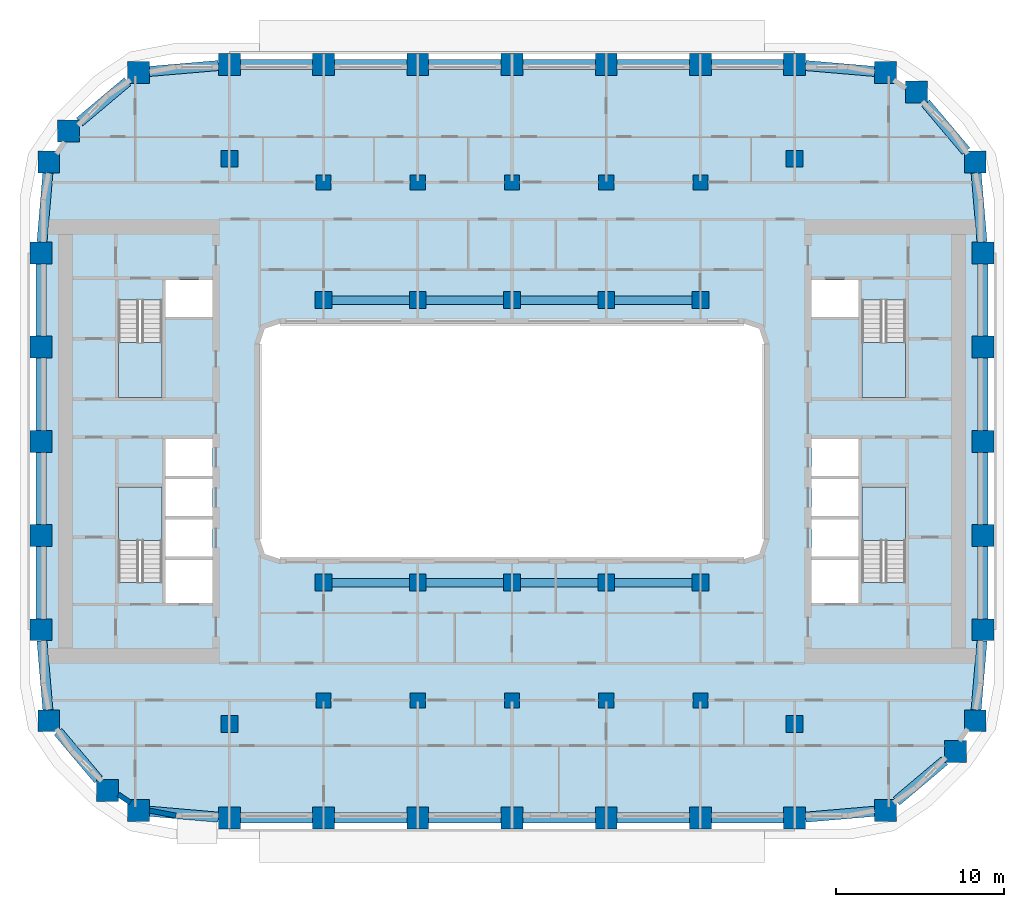
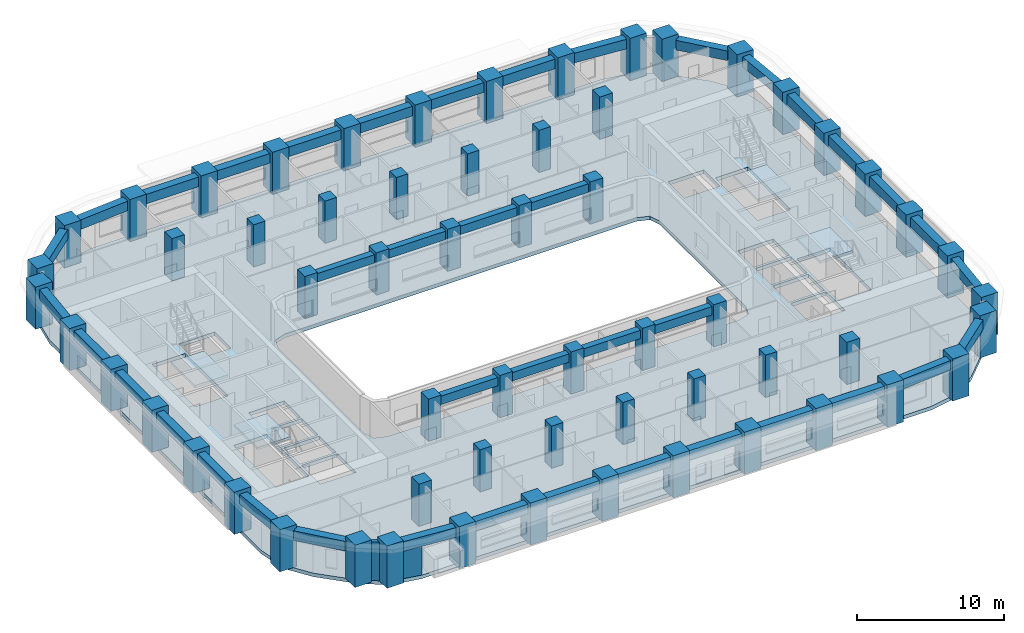
# One storey, part 1 of 21: 60 columns, 40 beams, 5 slabs, 2 walls, 4 elements without a shape of their own.
"""IFC4 building model written with IfcOpenShell, lengths in metres."""

from ifc_helpers import new_model, si_unit, direction, frame, frame_2d, origin, origin_2d, place, context, subcontext, project, spatial, polyline, rectangle, outline, extrude, material, layer, layer_set, material_profile, profile_set, type_object, element, aggregate, save


model = new_model("IFC4")

# Units and contexts
model_context = context("Model", 3, precision=1e-05, world=origin(), true_north=direction((0.0, 1.0)))
body_context = subcontext(model_context, "Body", "Model", "MODEL_VIEW")
ifc_project = project(units=[si_unit("LENGTHUNIT", "METRE"), si_unit("AREAUNIT", "SQUARE_METRE"), si_unit("VOLUMEUNIT", "CUBIC_METRE"), si_unit("PLANEANGLEUNIT", "RADIAN"), si_unit("MASSUNIT", "GRAM", prefix="KILO")], contexts=[model_context])

# Site, building, storey
site_placement = place(None, origin())
site = spatial("IfcSite", under=ifc_project, at=site_placement, CompositionType="ELEMENT")
building_placement = place(site_placement, origin())
building = spatial("IfcBuilding", under=site, at=building_placement, Name="Kiln Ring Residences", CompositionType="ELEMENT")
storey_placement = place(building_placement, frame((0.0, 0.0, 93.800048828125)))
storey = spatial("IfcBuildingStorey", under=building, at=storey_placement, Name="L23", CompositionType="ELEMENT", Elevation=93.800048828125)

# Columns
ifc_material_1 = material(Name="Concrete C80/95", Category="concrete")
ifc_material_profile_1 = material_profile(ifc_material_1, rectangle(XDim=0.89990234375, YDim=0.89990234375, at=origin_2d()), Name="RC900x900")
ifc_profile_set_1 = profile_set([ifc_material_profile_1], Name="Concrete C80/95")
column_type_1 = type_object("IfcColumnType", Name="Corridor column RC900x900 C80/95", PredefinedType="COLUMN", material=ifc_profile_set_1)
for number, where, z_axis, x_axis, name in (
    (1, (-11.199951171875, 15.39990234375, 0.0), (0.0, 0.0, 1.0), (1.0, 0.0, 0.0), "Corridor column L23 1"),
    (2, (-5.60009765625, 15.39990234375, 0.0), (0.0, 0.0, 1.0), (1.0, 0.0, 0.0), "Corridor column L23 2"),
    (3, (0.0, 15.39990234375, 0.0), (0.0, 0.0, 1.0), (1.0, 0.0, 0.0), "Corridor column L23 3"),
    (4, (5.60009765625, 15.39990234375, 0.0), (0.0, 0.0, 1.0), (1.0, 0.0, 0.0), "Corridor column L23 4"),
    (5, (11.199951171875, 15.39990234375, 0.0), (0.0, 0.0, 1.0), (1.0, 0.0, 0.0), "Corridor column L23 5"),
    (6, (-11.199951171875, -15.39990234375, 0.0), (0.0, 0.0, 1.0), (1.0, 0.0, 0.0), "Corridor column L23 6"),
    (7, (-5.60009765625, -15.39990234375, 0.0), (0.0, 0.0, 1.0), (1.0, 0.0, 0.0), "Corridor column L23 7"),
    (8, (0.0, -15.39990234375, 0.0), (0.0, 0.0, 1.0), (1.0, 0.0, 0.0), "Corridor column L23 8"),
    (9, (5.60009765625, -15.39990234375, 0.0), (0.0, 0.0, 1.0), (1.0, 0.0, 0.0), "Corridor column L23 9"),
    (10, (11.199951171875, -15.39990234375, 0.0), (0.0, 0.0, 1.0), (1.0, 0.0, 0.0), "Corridor column L23 10"),
):
    element("IfcColumn", number, at=place(storey_placement, frame(where, z_axis=z_axis, x_axis=x_axis)), inside=storey, type_object=column_type_1, Name=name, PredefinedType="COLUMN", context=body_context, shape_type="SweptSolid", body=[
        extrude(rectangle(XDim=0.89990234375, YDim=0.89990234375, at=origin_2d()), origin(), (0.0, 0.0, 1.0), 3.5),
    ])
ifc_material_2 = material(Name="Concrete C80/95", Category="concrete")
ifc_material_profile_2 = material_profile(ifc_material_2, rectangle(XDim=1.300048828125, YDim=1.300048828125, at=origin_2d()), Name="RC1300x1300")
ifc_profile_set_2 = profile_set([ifc_material_profile_2], Name="Concrete C80/95")
column_type_2 = type_object("IfcColumnType", Name="Perimeter column RC1300x1300 C80/95", PredefinedType="COLUMN", material=ifc_profile_set_2)
for number, where, z_axis, x_axis, name in (
    (11, (-22.208740234375, -21.93798828125, 0.0), (0.0, 0.0, 1.0), (1.0, 0.0, 0.0), "Perimeter column L23 1"),
    (12, (-16.800048828125, -22.39990234375, 0.0), (0.0, 0.0, 1.0), (1.0, 0.0, 0.0), "Perimeter column L23 2"),
    (13, (-11.199951171875, -22.39990234375, 0.0), (0.0, 0.0, 1.0), (1.0, 0.0, 0.0), "Perimeter column L23 3"),
    (14, (-5.60009765625, -22.39990234375, 0.0), (0.0, 0.0, 1.0), (1.0, 0.0, 0.0), "Perimeter column L23 4"),
    (15, (0.0, -22.39990234375, 0.0), (0.0, 0.0, 1.0), (1.0, 0.0, 0.0), "Perimeter column L23 5"),
    (16, (5.60009765625, -22.39990234375, 0.0), (0.0, 0.0, 1.0), (1.0, 0.0, 0.0), "Perimeter column L23 6"),
    (17, (11.199951171875, -22.39990234375, 0.0), (0.0, 0.0, 1.0), (1.0, 0.0, 0.0), "Perimeter column L23 7"),
    (18, (16.800048828125, -22.39990234375, 0.0), (0.0, 0.0, 1.0), (1.0, 0.0, 0.0), "Perimeter column L23 8"),
    (19, (22.208740234375, -21.93798828125, 0.0), (0.0, 0.0, 1.0), (1.0, 0.0, 0.0), "Perimeter column L23 9"),
    (20, (26.35986328125, -18.440185546875, 0.0), (0.0, 0.0, 1.0), (1.0, 0.0, 0.0), "Perimeter column L23 10"),
    (21, (27.5380859375, -16.608642578125, 0.0), (0.0, 0.0, 1.0), (1.0, 0.0, 0.0), "Perimeter column L23 11"),
    (22, (28.0, -11.199951171875, 0.0), (0.0, 0.0, 1.0), (1.0, 0.0, 0.0), "Perimeter column L23 12"),
    (23, (28.0, -5.60009765625, 0.0), (0.0, 0.0, 1.0), (1.0, 0.0, 0.0), "Perimeter column L23 13"),
    (24, (28.0, 0.0, 0.0), (0.0, 0.0, 1.0), (1.0, 0.0, 0.0), "Perimeter column L23 14"),
    (25, (28.0, 5.60009765625, 0.0), (0.0, 0.0, 1.0), (1.0, 0.0, 0.0), "Perimeter column L23 15"),
    (26, (28.0, 11.199951171875, 0.0), (0.0, 0.0, 1.0), (1.0, 0.0, 0.0), "Perimeter column L23 16"),
    (27, (27.5380859375, 16.608642578125, 0.0), (0.0, 0.0, 1.0), (1.0, 0.0, 0.0), "Perimeter column L23 17"),
    (28, (24.040283203125, 20.759765625, 0.0), (0.0, 0.0, 1.0), (1.0, 0.0, 0.0), "Perimeter column L23 18"),
    (29, (22.208740234375, 21.93798828125, 0.0), (0.0, 0.0, 1.0), (1.0, 0.0, 0.0), "Perimeter column L23 19"),
    (30, (16.800048828125, 22.39990234375, 0.0), (0.0, 0.0, 1.0), (1.0, 0.0, 0.0), "Perimeter column L23 20"),
    (31, (11.199951171875, 22.39990234375, 0.0), (0.0, 0.0, 1.0), (1.0, 0.0, 0.0), "Perimeter column L23 21"),
    (32, (5.60009765625, 22.39990234375, 0.0), (0.0, 0.0, 1.0), (1.0, 0.0, 0.0), "Perimeter column L23 22"),
    (33, (0.0, 22.39990234375, 0.0), (0.0, 0.0, 1.0), (1.0, 0.0, 0.0), "Perimeter column L23 23"),
    (34, (-5.60009765625, 22.39990234375, 0.0), (0.0, 0.0, 1.0), (1.0, 0.0, 0.0), "Perimeter column L23 24"),
    (35, (-11.199951171875, 22.39990234375, 0.0), (0.0, 0.0, 1.0), (1.0, 0.0, 0.0), "Perimeter column L23 25"),
    (36, (-16.800048828125, 22.39990234375, 0.0), (0.0, 0.0, 1.0), (1.0, 0.0, 0.0), "Perimeter column L23 26"),
    (37, (-22.208740234375, 21.93798828125, 0.0), (0.0, 0.0, 1.0), (1.0, 0.0, 0.0), "Perimeter column L23 27"),
    (38, (-26.35986328125, 18.440185546875, 0.0), (0.0, 0.0, 1.0), (1.0, 0.0, 0.0), "Perimeter column L23 28"),
    (39, (-27.5380859375, 16.608642578125, 0.0), (0.0, 0.0, 1.0), (1.0, 0.0, 0.0), "Perimeter column L23 29"),
    (40, (-28.0, 11.199951171875, 0.0), (0.0, 0.0, 1.0), (1.0, 0.0, 0.0), "Perimeter column L23 30"),
    (41, (-28.0, 5.60009765625, 0.0), (0.0, 0.0, 1.0), (1.0, 0.0, 0.0), "Perimeter column L23 31"),
    (42, (-28.0, 0.0, 0.0), (0.0, 0.0, 1.0), (1.0, 0.0, 0.0), "Perimeter column L23 32"),
    (43, (-28.0, -5.60009765625, 0.0), (0.0, 0.0, 1.0), (1.0, 0.0, 0.0), "Perimeter column L23 33"),
    (44, (-28.0, -11.199951171875, 0.0), (0.0, 0.0, 1.0), (1.0, 0.0, 0.0), "Perimeter column L23 34"),
    (45, (-27.5380859375, -16.608642578125, 0.0), (0.0, 0.0, 1.0), (1.0, 0.0, 0.0), "Perimeter column L23 35"),
    (46, (-24.040283203125, -20.759765625, 0.0), (0.0, 0.0, 1.0), (1.0, 0.0, 0.0), "Perimeter column L23 36"),
):
    element("IfcColumn", number, at=place(storey_placement, frame(where, z_axis=z_axis, x_axis=x_axis)), inside=storey, type_object=column_type_2, Name=name, PredefinedType="COLUMN", context=body_context, shape_type="SweptSolid", body=[
        extrude(rectangle(XDim=1.300048828125, YDim=1.300048828125, at=origin_2d()), origin(), (0.0, 0.0, 1.0), 3.5),
    ])
ifc_material_3 = material(Name="Concrete C80/95", Category="concrete")
ifc_material_profile_3 = material_profile(ifc_material_3, rectangle(XDim=1.0, YDim=1.0, at=origin_2d()), Name="RC1000x1000")
ifc_profile_set_3 = profile_set([ifc_material_profile_3], Name="Concrete C80/95")
column_type_3 = type_object("IfcColumnType", Name="Ring column RC1000x1000 C80/95", PredefinedType="COLUMN", material=ifc_profile_set_3)
for number, where, z_axis, x_axis, name in (
    (47, (-16.800048828125, -16.800048828125, 0.0), (0.0, 0.0, 1.0), (1.0, 0.0, 0.0), "Ring column L23 1"),
    (48, (-16.800048828125, 16.800048828125, 0.0), (0.0, 0.0, 1.0), (1.0, 0.0, 0.0), "Ring column L23 2"),
    (49, (-11.199951171875, -8.39990234375, 0.0), (0.0, 0.0, 1.0), (1.0, 0.0, 0.0), "Ring column L23 3"),
    (50, (-11.199951171875, 8.39990234375, 0.0), (0.0, 0.0, 1.0), (1.0, 0.0, 0.0), "Ring column L23 4"),
    (51, (-5.60009765625, -8.39990234375, 0.0), (0.0, 0.0, 1.0), (1.0, 0.0, 0.0), "Ring column L23 5"),
    (52, (-5.60009765625, 8.39990234375, 0.0), (0.0, 0.0, 1.0), (1.0, 0.0, 0.0), "Ring column L23 6"),
    (53, (0.0, -8.39990234375, 0.0), (0.0, 0.0, 1.0), (1.0, 0.0, 0.0), "Ring column L23 7"),
    (54, (0.0, 8.39990234375, 0.0), (0.0, 0.0, 1.0), (1.0, 0.0, 0.0), "Ring column L23 8"),
    (55, (5.60009765625, -8.39990234375, 0.0), (0.0, 0.0, 1.0), (1.0, 0.0, 0.0), "Ring column L23 9"),
    (56, (5.60009765625, 8.39990234375, 0.0), (0.0, 0.0, 1.0), (1.0, 0.0, 0.0), "Ring column L23 10"),
    (57, (11.199951171875, -8.39990234375, 0.0), (0.0, 0.0, 1.0), (1.0, 0.0, 0.0), "Ring column L23 11"),
    (58, (11.199951171875, 8.39990234375, 0.0), (0.0, 0.0, 1.0), (1.0, 0.0, 0.0), "Ring column L23 12"),
    (59, (16.800048828125, -16.800048828125, 0.0), (0.0, 0.0, 1.0), (1.0, 0.0, 0.0), "Ring column L23 13"),
    (60, (16.800048828125, 16.800048828125, 0.0), (0.0, 0.0, 1.0), (1.0, 0.0, 0.0), "Ring column L23 14"),
):
    element("IfcColumn", number, at=place(storey_placement, frame(where, z_axis=z_axis, x_axis=x_axis)), inside=storey, type_object=column_type_3, Name=name, PredefinedType="COLUMN", context=body_context, shape_type="SweptSolid", body=[
        extrude(rectangle(XDim=1.0, YDim=1.0, at=origin_2d()), origin(), (0.0, 0.0, 1.0), 3.5),
    ])

# Beams
ifc_material_4 = material(Name="Concrete C50/60", Category="concrete")
ifc_material_profile_4 = material_profile(ifc_material_4, rectangle(XDim=0.5, YDim=0.699951171875, at=origin_2d()), Name="RC500x700")
ifc_profile_set_4 = profile_set([ifc_material_profile_4], Name="Concrete C50/60")
beam_type_1 = type_object("IfcBeamType", Name="Ring beam RC500x700 C50/60", PredefinedType="BEAM", material=ifc_profile_set_4)
beam_1_placement = place(storey_placement, frame((-10.699951171875, -8.39990234375, 2.849853515625), z_axis=(1.0, 0.0, 0.0), x_axis=(0.0, 1.0, 0.0)))
element("IfcBeam", 61, at=beam_1_placement, inside=storey, type_object=beam_type_1, Name="Ring beam L23 1", PredefinedType="BEAM", context=body_context, shape_type="SweptSolid", body=[
    extrude(rectangle(XDim=0.5, YDim=0.699951171875, at=origin_2d()), origin(), (0.0, 0.0, 1.0), 4.599853515625),
])
for number, where, z_axis, x_axis, name in (
    (62, (-5.10009765625, -8.39990234375, 2.849853515625), (1.0, 0.0, 0.0), (0.0, 1.0, 0.0), "Ring beam L23 2"),
    (63, (0.5, -8.39990234375, 2.849853515625), (1.0, 0.0, 0.0), (0.0, 1.0, 0.0), "Ring beam L23 3"),
):
    element("IfcBeam", number, at=place(storey_placement, frame(where, z_axis=z_axis, x_axis=x_axis)), inside=storey, type_object=beam_type_1, Name=name, PredefinedType="BEAM", context=body_context, shape_type="SweptSolid", body=[
        extrude(rectangle(XDim=0.5, YDim=0.699951171875, at=origin_2d()), origin(), (0.0, 0.0, 1.0), 4.60009765625),
    ])
for number, where, z_axis, x_axis, name in (
    (64, (6.10009765625, -8.39990234375, 2.849853515625), (1.0, 0.0, 0.0), (0.0, 1.0, 0.0), "Ring beam L23 4"),
    (65, (-10.699951171875, 8.39990234375, 2.849853515625), (1.0, 0.0, 0.0), (0.0, 1.0, 0.0), "Ring beam L23 5"),
):
    element("IfcBeam", number, at=place(storey_placement, frame(where, z_axis=z_axis, x_axis=x_axis)), inside=storey, type_object=beam_type_1, Name=name, PredefinedType="BEAM", context=body_context, shape_type="SweptSolid", body=[
        extrude(rectangle(XDim=0.5, YDim=0.699951171875, at=origin_2d()), origin(), (0.0, 0.0, 1.0), 4.599853515625),
    ])
for number, where, z_axis, x_axis, name in (
    (66, (-5.10009765625, 8.39990234375, 2.849853515625), (1.0, 0.0, 0.0), (0.0, 1.0, 0.0), "Ring beam L23 6"),
    (67, (0.5, 8.39990234375, 2.849853515625), (1.0, 0.0, 0.0), (0.0, 1.0, 0.0), "Ring beam L23 7"),
):
    element("IfcBeam", number, at=place(storey_placement, frame(where, z_axis=z_axis, x_axis=x_axis)), inside=storey, type_object=beam_type_1, Name=name, PredefinedType="BEAM", context=body_context, shape_type="SweptSolid", body=[
        extrude(rectangle(XDim=0.5, YDim=0.699951171875, at=origin_2d()), origin(), (0.0, 0.0, 1.0), 4.60009765625),
    ])
beam_2_placement = place(storey_placement, frame((6.10009765625, 8.39990234375, 2.849853515625), z_axis=(1.0, 0.0, 0.0), x_axis=(0.0, 1.0, 0.0)))
element("IfcBeam", 68, at=beam_2_placement, inside=storey, type_object=beam_type_1, Name="Ring beam L23 8", PredefinedType="BEAM", context=body_context, shape_type="SweptSolid", body=[
    extrude(rectangle(XDim=0.5, YDim=0.699951171875, at=origin_2d()), origin(), (0.0, 0.0, 1.0), 4.599853515625),
])
ifc_material_5 = material(Name="Concrete C50/60", Category="concrete")
ifc_material_profile_5 = material_profile(ifc_material_5, rectangle(XDim=0.60009765625, YDim=0.800048828125, at=origin_2d()), Name="RC600x800")
ifc_profile_set_5 = profile_set([ifc_material_profile_5], Name="Concrete C50/60")
beam_type_2 = type_object("IfcBeamType", Name="Spandrel beam RC600x800 C50/60", PredefinedType="SPANDREL", material=ifc_profile_set_5)
beam_3_placement = place(storey_placement, frame((-21.55859375, -21.99365234375, 2.800048828125), z_axis=(0.99637423264, -0.085078719609, 0.0), x_axis=(0.085078719609, 0.99637423264, 0.0)))
element("IfcBeam", 69, at=beam_3_placement, inside=storey, type_object=beam_type_2, Name="Spandrel beam L23 1", PredefinedType="SPANDREL", context=body_context, shape_type="SweptSolid", body=[
    extrude(rectangle(XDim=0.60009765625, YDim=0.800048828125, at=origin_2d()), origin(), (0.0, 0.0, 1.0), 4.12353515625),
])
beam_4_placement = place(storey_placement, frame((-16.14990234375, -22.39990234375, 2.800048828125), z_axis=(1.0, 0.0, 0.0), x_axis=(0.0, 1.0, 0.0)))
element("IfcBeam", 70, at=beam_4_placement, inside=storey, type_object=beam_type_2, Name="Spandrel beam L23 2", PredefinedType="SPANDREL", context=body_context, shape_type="SweptSolid", body=[
    extrude(rectangle(XDim=0.60009765625, YDim=0.800048828125, at=origin_2d()), origin(), (0.0, 0.0, 1.0), 4.2998046875),
])
for number, where, z_axis, x_axis, name in (
    (71, (-10.550048828125, -22.39990234375, 2.800048828125), (1.0, 0.0, 0.0), (0.0, 1.0, 0.0), "Spandrel beam L23 3"),
    (72, (-4.949951171875, -22.39990234375, 2.800048828125), (1.0, 0.0, 0.0), (0.0, 1.0, 0.0), "Spandrel beam L23 4"),
    (73, (0.64990234375, -22.39990234375, 2.800048828125), (1.0, 0.0, 0.0), (0.0, 1.0, 0.0), "Spandrel beam L23 5"),
    (74, (6.25, -22.39990234375, 2.800048828125), (1.0, 0.0, 0.0), (0.0, 1.0, 0.0), "Spandrel beam L23 6"),
):
    element("IfcBeam", number, at=place(storey_placement, frame(where, z_axis=z_axis, x_axis=x_axis)), inside=storey, type_object=beam_type_2, Name=name, PredefinedType="SPANDREL", context=body_context, shape_type="SweptSolid", body=[
        extrude(rectangle(XDim=0.60009765625, YDim=0.800048828125, at=origin_2d()), origin(), (0.0, 0.0, 1.0), 4.300048828125),
    ])
beam_5_placement = place(storey_placement, frame((11.85009765625, -22.39990234375, 2.800048828125), z_axis=(1.0, 0.0, 0.0), x_axis=(0.0, 1.0, 0.0)))
element("IfcBeam", 75, at=beam_5_placement, inside=storey, type_object=beam_type_2, Name="Spandrel beam L23 7", PredefinedType="SPANDREL", context=body_context, shape_type="SweptSolid", body=[
    extrude(rectangle(XDim=0.60009765625, YDim=0.800048828125, at=origin_2d()), origin(), (0.0, 0.0, 1.0), 4.2998046875),
])
beam_6_placement = place(storey_placement, frame((17.449951171875, -22.344482421875, 2.800048828125), z_axis=(0.99637423264, 0.085078719609, 0.0), x_axis=(-0.085078719609, 0.99637423264, 0.0)))
element("IfcBeam", 76, at=beam_6_placement, inside=storey, type_object=beam_type_2, Name="Spandrel beam L23 8", PredefinedType="SPANDREL", context=body_context, shape_type="SweptSolid", body=[
    extrude(rectangle(XDim=0.60009765625, YDim=0.800048828125, at=origin_2d()), origin(), (0.0, 0.0, 1.0), 4.12353515625),
])
beam_7_placement = place(storey_placement, frame((22.858642578125, -21.390380859375, 2.800048828125), z_axis=(0.764720974908, 0.644361568171, 0.0), x_axis=(-0.644361568171, 0.764720974908, 0.0)))
element("IfcBeam", 77, at=beam_7_placement, inside=storey, type_object=beam_type_2, Name="Spandrel beam L23 9", PredefinedType="SPANDREL", context=body_context, shape_type="SweptSolid", body=[
    extrude(rectangle(XDim=0.60009765625, YDim=0.800048828125, at=origin_2d()), origin(), (0.0, 0.0, 1.0), 3.728271484375),
])
beam_8_placement = place(storey_placement, frame((27.593505859375, -15.958740234375, 2.800048828125), z_axis=(0.0851374964, 0.996369212043, 0.0), x_axis=(-0.996369212043, 0.0851374964, 0.0)))
element("IfcBeam", 78, at=beam_8_placement, inside=storey, type_object=beam_type_2, Name="Spandrel beam L23 10", PredefinedType="SPANDREL", context=body_context, shape_type="SweptSolid", body=[
    extrude(rectangle(XDim=0.60009765625, YDim=0.800048828125, at=origin_2d()), origin(), (0.0, 0.0, 1.0), 4.12353515625),
])
for number, where, z_axis, x_axis, name in (
    (79, (28.0, -10.550048828125, 2.800048828125), (0.0, 1.0, 0.0), (-1.0, 0.0, 0.0), "Spandrel beam L23 11"),
    (80, (28.0, -4.949951171875, 2.800048828125), (0.0, 1.0, 0.0), (-1.0, 0.0, 0.0), "Spandrel beam L23 12"),
    (81, (28.0, 0.64990234375, 2.800048828125), (0.0, 1.0, 0.0), (-1.0, 0.0, 0.0), "Spandrel beam L23 13"),
    (82, (28.0, 6.25, 2.800048828125), (0.0, 1.0, 0.0), (-1.0, 0.0, 0.0), "Spandrel beam L23 14"),
):
    element("IfcBeam", number, at=place(storey_placement, frame(where, z_axis=z_axis, x_axis=x_axis)), inside=storey, type_object=beam_type_2, Name=name, PredefinedType="SPANDREL", context=body_context, shape_type="SweptSolid", body=[
        extrude(rectangle(XDim=0.60009765625, YDim=0.800048828125, at=origin_2d()), origin(), (0.0, 0.0, 1.0), 4.300048828125),
    ])
beam_9_placement = place(storey_placement, frame((27.944580078125, 11.85009765625, 2.800048828125), z_axis=(-0.0851374964, 0.996369212043, 0.0), x_axis=(-0.996369212043, -0.0851374964, 0.0)))
element("IfcBeam", 83, at=beam_9_placement, inside=storey, type_object=beam_type_2, Name="Spandrel beam L23 15", PredefinedType="SPANDREL", context=body_context, shape_type="SweptSolid", body=[
    extrude(rectangle(XDim=0.60009765625, YDim=0.800048828125, at=origin_2d()), origin(), (0.0, 0.0, 1.0), 4.12353515625),
])
beam_10_placement = place(storey_placement, frame((26.990478515625, 17.2587890625, 2.800048828125), z_axis=(-0.644399860611, 0.764688707674, 0.0), x_axis=(-0.764688707674, -0.644399860611, 0.0)))
element("IfcBeam", 84, at=beam_10_placement, inside=storey, type_object=beam_type_2, Name="Spandrel beam L23 16", PredefinedType="SPANDREL", context=body_context, shape_type="SweptSolid", body=[
    extrude(rectangle(XDim=0.60009765625, YDim=0.800048828125, at=origin_2d()), origin(), (0.0, 0.0, 1.0), 3.728515625),
])
beam_11_placement = place(storey_placement, frame((21.55859375, 21.99365234375, 2.800048828125), z_axis=(-0.99637423264, 0.085078719609, 0.0), x_axis=(-0.085078719609, -0.99637423264, 0.0)))
element("IfcBeam", 85, at=beam_11_placement, inside=storey, type_object=beam_type_2, Name="Spandrel beam L23 17", PredefinedType="SPANDREL", context=body_context, shape_type="SweptSolid", body=[
    extrude(rectangle(XDim=0.60009765625, YDim=0.800048828125, at=origin_2d()), origin(), (0.0, 0.0, 1.0), 4.12353515625),
])
beam_12_placement = place(storey_placement, frame((16.14990234375, 22.39990234375, 2.800048828125), z_axis=(-1.0, 0.0, 0.0), x_axis=(0.0, -1.0, 0.0)))
element("IfcBeam", 86, at=beam_12_placement, inside=storey, type_object=beam_type_2, Name="Spandrel beam L23 18", PredefinedType="SPANDREL", context=body_context, shape_type="SweptSolid", body=[
    extrude(rectangle(XDim=0.60009765625, YDim=0.800048828125, at=origin_2d()), origin(), (0.0, 0.0, 1.0), 4.2998046875),
])
for number, where, z_axis, x_axis, name in (
    (87, (10.550048828125, 22.39990234375, 2.800048828125), (-1.0, 0.0, 0.0), (0.0, -1.0, 0.0), "Spandrel beam L23 19"),
    (88, (4.949951171875, 22.39990234375, 2.800048828125), (-1.0, 0.0, 0.0), (0.0, -1.0, 0.0), "Spandrel beam L23 20"),
    (89, (-0.64990234375, 22.39990234375, 2.800048828125), (-1.0, 0.0, 0.0), (0.0, -1.0, 0.0), "Spandrel beam L23 21"),
    (90, (-6.25, 22.39990234375, 2.800048828125), (-1.0, 0.0, 0.0), (0.0, -1.0, 0.0), "Spandrel beam L23 22"),
):
    element("IfcBeam", number, at=place(storey_placement, frame(where, z_axis=z_axis, x_axis=x_axis)), inside=storey, type_object=beam_type_2, Name=name, PredefinedType="SPANDREL", context=body_context, shape_type="SweptSolid", body=[
        extrude(rectangle(XDim=0.60009765625, YDim=0.800048828125, at=origin_2d()), origin(), (0.0, 0.0, 1.0), 4.300048828125),
    ])
beam_13_placement = place(storey_placement, frame((-11.85009765625, 22.39990234375, 2.800048828125), z_axis=(-1.0, 0.0, 0.0), x_axis=(0.0, -1.0, 0.0)))
element("IfcBeam", 91, at=beam_13_placement, inside=storey, type_object=beam_type_2, Name="Spandrel beam L23 23", PredefinedType="SPANDREL", context=body_context, shape_type="SweptSolid", body=[
    extrude(rectangle(XDim=0.60009765625, YDim=0.800048828125, at=origin_2d()), origin(), (0.0, 0.0, 1.0), 4.2998046875),
])
beam_14_placement = place(storey_placement, frame((-17.449951171875, 22.344482421875, 2.800048828125), z_axis=(-0.99637423264, -0.085078719609, 0.0), x_axis=(0.085078719609, -0.99637423264, 0.0)))
element("IfcBeam", 92, at=beam_14_placement, inside=storey, type_object=beam_type_2, Name="Spandrel beam L23 24", PredefinedType="SPANDREL", context=body_context, shape_type="SweptSolid", body=[
    extrude(rectangle(XDim=0.60009765625, YDim=0.800048828125, at=origin_2d()), origin(), (0.0, 0.0, 1.0), 4.12353515625),
])
beam_15_placement = place(storey_placement, frame((-22.858642578125, 21.390380859375, 2.800048828125), z_axis=(-0.764720974908, -0.644361568171, 0.0), x_axis=(0.644361568171, -0.764720974908, 0.0)))
element("IfcBeam", 93, at=beam_15_placement, inside=storey, type_object=beam_type_2, Name="Spandrel beam L23 25", PredefinedType="SPANDREL", context=body_context, shape_type="SweptSolid", body=[
    extrude(rectangle(XDim=0.60009765625, YDim=0.800048828125, at=origin_2d()), origin(), (0.0, 0.0, 1.0), 3.728271484375),
])
beam_16_placement = place(storey_placement, frame((-27.593505859375, 15.958740234375, 2.800048828125), z_axis=(-0.0851374964, -0.996369212043, 0.0), x_axis=(0.996369212043, -0.0851374964, 0.0)))
element("IfcBeam", 94, at=beam_16_placement, inside=storey, type_object=beam_type_2, Name="Spandrel beam L23 26", PredefinedType="SPANDREL", context=body_context, shape_type="SweptSolid", body=[
    extrude(rectangle(XDim=0.60009765625, YDim=0.800048828125, at=origin_2d()), origin(), (0.0, 0.0, 1.0), 4.12353515625),
])
for number, where, z_axis, x_axis, name in (
    (95, (-28.0, 10.550048828125, 2.800048828125), (0.0, -1.0, 0.0), (1.0, 0.0, 0.0), "Spandrel beam L23 27"),
    (96, (-28.0, 4.949951171875, 2.800048828125), (0.0, -1.0, 0.0), (1.0, 0.0, 0.0), "Spandrel beam L23 28"),
    (97, (-28.0, -0.64990234375, 2.800048828125), (0.0, -1.0, 0.0), (1.0, 0.0, 0.0), "Spandrel beam L23 29"),
    (98, (-28.0, -6.25, 2.800048828125), (0.0, -1.0, 0.0), (1.0, 0.0, 0.0), "Spandrel beam L23 30"),
):
    element("IfcBeam", number, at=place(storey_placement, frame(where, z_axis=z_axis, x_axis=x_axis)), inside=storey, type_object=beam_type_2, Name=name, PredefinedType="SPANDREL", context=body_context, shape_type="SweptSolid", body=[
        extrude(rectangle(XDim=0.60009765625, YDim=0.800048828125, at=origin_2d()), origin(), (0.0, 0.0, 1.0), 4.300048828125),
    ])
beam_17_placement = place(storey_placement, frame((-27.944580078125, -11.85009765625, 2.800048828125), z_axis=(0.0851374964, -0.996369212043, 0.0), x_axis=(0.996369212043, 0.0851374964, 0.0)))
element("IfcBeam", 99, at=beam_17_placement, inside=storey, type_object=beam_type_2, Name="Spandrel beam L23 31", PredefinedType="SPANDREL", context=body_context, shape_type="SweptSolid", body=[
    extrude(rectangle(XDim=0.60009765625, YDim=0.800048828125, at=origin_2d()), origin(), (0.0, 0.0, 1.0), 4.12353515625),
])
beam_18_placement = place(storey_placement, frame((-26.990478515625, -17.2587890625, 2.800048828125), z_axis=(0.644399860611, -0.764688707674, 0.0), x_axis=(0.764688707674, 0.644399860611, 0.0)))
element("IfcBeam", 100, at=beam_18_placement, inside=storey, type_object=beam_type_2, Name="Spandrel beam L23 32", PredefinedType="SPANDREL", context=body_context, shape_type="SweptSolid", body=[
    extrude(rectangle(XDim=0.60009765625, YDim=0.800048828125, at=origin_2d()), origin(), (0.0, 0.0, 1.0), 3.728515625),
])

# Stair, slab
ifc_material_6 = material(Name="Concrete C40/50", Category="concrete")
stair_type = type_object("IfcStairType", Name="CORE-STAIR", PredefinedType="HALF_TURN_STAIR", material=ifc_material_6)
placement_1 = place(storey_placement, origin())
stair_1 = element("IfcStair", 101, at=placement_1, inside=storey, type_object=stair_type, Name="L23 stair W-STN", PredefinedType="HALF_TURN_STAIR")
ifc_material_7 = material(Name="Concrete C40/50", Category="concrete")
ifc_layer_1 = layer(ifc_material_7, 0.199951171875)
ifc_layer_set_1 = layer_set([ifc_layer_1], Name="CORE-STAIR-LANDING")
slab_type_1 = type_object("IfcSlabType", Name="CORE-STAIR-LANDING", PredefinedType="LANDING", material=ifc_layer_set_1)
placement_2 = place(storey_placement, frame((0.0, 0.0, 1.550048828125)))
slab_1 = element("IfcSlab", 102, at=placement_2, type_object=slab_type_1, Name="W-STN landing 1", PredefinedType="LANDING", context=body_context, shape_type="SweptSolid", body=[
    extrude(outline(polyline([(-23.39990234375, 5.8798828125), (-23.39990234375, 2.60009765625), (-20.800048828125, 2.60009765625), (-20.800048828125, 5.8798828125), (-23.39990234375, 5.8798828125)])), origin(), (0.0, 0.0, 1.0), 0.199951171875),
])
aggregate(stair_1, [slab_1])

stair_2 = element("IfcStair", 103, at=placement_1, inside=storey, type_object=stair_type, Name="L23 stair W-STS", PredefinedType="HALF_TURN_STAIR")
slab_2 = element("IfcSlab", 104, at=placement_2, type_object=slab_type_1, Name="W-STS landing 1", PredefinedType="LANDING", context=body_context, shape_type="SweptSolid", body=[
    extrude(outline(polyline([(-20.800048828125, -5.8798828125), (-20.800048828125, -2.699951171875), (-23.39990234375, -2.699951171875), (-23.39990234375, -5.8798828125), (-20.800048828125, -5.8798828125)])), origin(), (0.0, 0.0, 1.0), 0.199951171875),
])
aggregate(stair_2, [slab_2])

stair_3 = element("IfcStair", 105, at=placement_1, inside=storey, type_object=stair_type, Name="L23 stair E-STN", PredefinedType="HALF_TURN_STAIR")
slab_3 = element("IfcSlab", 106, at=placement_2, type_object=slab_type_1, Name="E-STN landing 1", PredefinedType="LANDING", context=body_context, shape_type="SweptSolid", body=[
    extrude(outline(polyline([(20.800048828125, 5.8798828125), (20.800048828125, 2.60009765625), (23.39990234375, 2.60009765625), (23.39990234375, 5.8798828125), (20.800048828125, 5.8798828125)])), origin(), (0.0, 0.0, 1.0), 0.199951171875),
])
aggregate(stair_3, [slab_3])

stair_4 = element("IfcStair", 107, at=placement_1, inside=storey, type_object=stair_type, Name="L23 stair E-STS", PredefinedType="HALF_TURN_STAIR")
slab_4 = element("IfcSlab", 108, at=placement_2, type_object=slab_type_1, Name="E-STS landing 1", PredefinedType="LANDING", context=body_context, shape_type="SweptSolid", body=[
    extrude(outline(polyline([(23.39990234375, -5.8798828125), (23.39990234375, -2.699951171875), (20.800048828125, -2.699951171875), (20.800048828125, -5.8798828125), (23.39990234375, -5.8798828125)])), origin(), (0.0, 0.0, 1.0), 0.199951171875),
])
aggregate(stair_4, [slab_4])

# Slab
ifc_material_8 = material(Name="Concrete C40/50", Category="concrete")
ifc_layer_2 = layer(ifc_material_8, 0.300048828125)
ifc_layer_set_2 = layer_set([ifc_layer_2], Name="Floor slab 300")
slab_type_2 = type_object("IfcSlabType", Name="Floor slab 300", PredefinedType="FLOOR", material=ifc_layer_set_2)
slab_5_placement = place(storey_placement, frame((0.0, 0.0, -0.300048828125)))
element("IfcSlab", 109, at=slab_5_placement, inside=storey, type_object=slab_type_2, Name="Floor slab L23 1", PredefinedType="FLOOR", context=body_context, shape_type="SweptSolid", body=[
    extrude(outline(polyline([(-26.302978515625, -18.4970703125), (-24.09716796875, -20.702880859375), (-22.224365234375, -21.975830078125), (-20.0, -22.39990234375), (20.0, -22.39990234375), (22.224365234375, -21.975830078125), (24.09716796875, -20.702880859375), (26.302978515625, -18.4970703125), (27.57568359375, -16.624267578125), (28.0, -14.39990234375), (28.0, 14.39990234375), (27.57568359375, 16.624267578125), (26.302978515625, 18.4970703125), (24.09716796875, 20.702880859375), (22.224365234375, 21.975830078125), (20.0, 22.39990234375), (-20.0, 22.39990234375), (-22.224365234375, 21.975830078125), (-24.09716796875, 20.702880859375), (-26.302978515625, 18.4970703125), (-27.57568359375, 16.624267578125), (-28.0, 14.39990234375), (-28.0, -14.39990234375), (-27.57568359375, -16.624267578125), (-26.302978515625, -18.4970703125)]), holes=[polyline([(-14.699951171875, -6.699951171875), (-15.0, -5.800048828125), (-15.0, 5.800048828125), (-14.699951171875, 6.699951171875), (-13.800048828125, 7.0), (13.800048828125, 7.0), (14.699951171875, 6.699951171875), (15.0, 5.800048828125), (15.0, -5.800048828125), (14.699951171875, -6.699951171875), (13.800048828125, -7.0), (-13.800048828125, -7.0), (-14.699951171875, -6.699951171875)]), polyline([(20.800048828125, -8.39794921875), (20.800048828125, -2.699951171875), (23.39990234375, -2.699951171875), (23.39990234375, -8.39794921875), (20.800048828125, -8.39794921875)]), polyline([(20.800048828125, 2.60009765625), (20.800048828125, 8.39794921875), (23.39990234375, 8.39794921875), (23.39990234375, 2.60009765625), (20.800048828125, 2.60009765625)]), polyline([(17.800048828125, -6.85009765625), (17.800048828125, -4.64990234375), (20.60009765625, -4.64990234375), (20.60009765625, -6.85009765625), (17.800048828125, -6.85009765625)]), polyline([(17.800048828125, -4.449951171875), (17.800048828125, -2.25), (20.60009765625, -2.25), (20.60009765625, -4.449951171875), (17.800048828125, -4.449951171875)]), polyline([(17.800048828125, -2.050048828125), (17.800048828125, 0.14990234375), (20.60009765625, 0.14990234375), (20.60009765625, -2.050048828125), (17.800048828125, -2.050048828125)]), polyline([(17.800048828125, 7.39990234375), (17.800048828125, 9.60009765625), (20.60009765625, 9.60009765625), (20.60009765625, 7.39990234375), (17.800048828125, 7.39990234375)]), polyline([(20.60009765625, -9.60009765625), (17.800048828125, -9.60009765625), (17.800048828125, -7.050048828125), (20.60009765625, -7.050048828125), (20.60009765625, -9.60009765625)]), polyline([(-17.800048828125, -7.050048828125), (-17.800048828125, -9.60009765625), (-20.60009765625, -9.60009765625), (-20.60009765625, -7.050048828125), (-17.800048828125, -7.050048828125)]), polyline([(-17.800048828125, -6.85009765625), (-20.60009765625, -6.85009765625), (-20.60009765625, -4.64990234375), (-17.800048828125, -4.64990234375), (-17.800048828125, -6.85009765625)]), polyline([(-17.800048828125, -4.449951171875), (-20.60009765625, -4.449951171875), (-20.60009765625, -2.25), (-17.800048828125, -2.25), (-17.800048828125, -4.449951171875)]), polyline([(-17.800048828125, -2.050048828125), (-20.60009765625, -2.050048828125), (-20.60009765625, 0.14990234375), (-17.800048828125, 0.14990234375), (-17.800048828125, -2.050048828125)]), polyline([(-17.800048828125, 7.39990234375), (-20.60009765625, 7.39990234375), (-20.60009765625, 9.60009765625), (-17.800048828125, 9.60009765625), (-17.800048828125, 7.39990234375)]), polyline([(-20.800048828125, -8.39794921875), (-23.39990234375, -8.39794921875), (-23.39990234375, -2.699951171875), (-20.800048828125, -2.699951171875), (-20.800048828125, -8.39794921875)]), polyline([(-20.800048828125, 2.60009765625), (-23.39990234375, 2.60009765625), (-23.39990234375, 8.39794921875), (-20.800048828125, 8.39794921875), (-20.800048828125, 2.60009765625)])]), origin(), (0.0, 0.0, 1.0), 0.300048828125),
])

# Walls
ifc_material_9 = material(Name="Brick masonry, dark clay brick", Category="masonry")
ifc_layer_3 = layer(ifc_material_9, 0.300048828125)
ifc_layer_set_3 = layer_set([ifc_layer_3], Name="EW-300 BRICK WALL")
wall_type = type_object("IfcWallType", Name="EW-300 BRICK WALL", PredefinedType="SOLIDWALL", material=ifc_layer_set_3)
wall_1_placement = place(storey_placement, frame((-23.409912109375, -20.988525390625, 0.0), z_axis=(0.0, 0.0, 1.0), x_axis=(0.827050703543, -0.562127328787, 0.0)))
element("IfcWall", 110, at=wall_1_placement, inside=storey, type_object=wall_type, Name="Facade wall L23 2", PredefinedType="SOLIDWALL", context=body_context, shape_type="SweptSolid", body=[
    extrude(rectangle(XDim=0.877197265625, YDim=0.300048828125, at=frame_2d((0.4384765625, 0.0))), origin(), (0.0, 0.0, 1.0), 3.199951171875),
])
wall_2_placement = place(storey_placement, frame((-21.549560546875, -21.95166015625, 0.0), z_axis=(0.0, 0.0, 1.0), x_axis=(0.982278644094, -0.187426426519, 0.0)))
element("IfcWall", 111, at=wall_2_placement, inside=storey, type_object=wall_type, Name="Facade wall L23 3", PredefinedType="SOLIDWALL", context=body_context, shape_type="SweptSolid", body=[
    extrude(rectangle(XDim=1.606201171875, YDim=0.300048828125, at=frame_2d((0.80322265625, 0.0))), origin(), (0.0, 0.0, 1.0), 2.39990234375),
])

save(model, "model.ifc")
